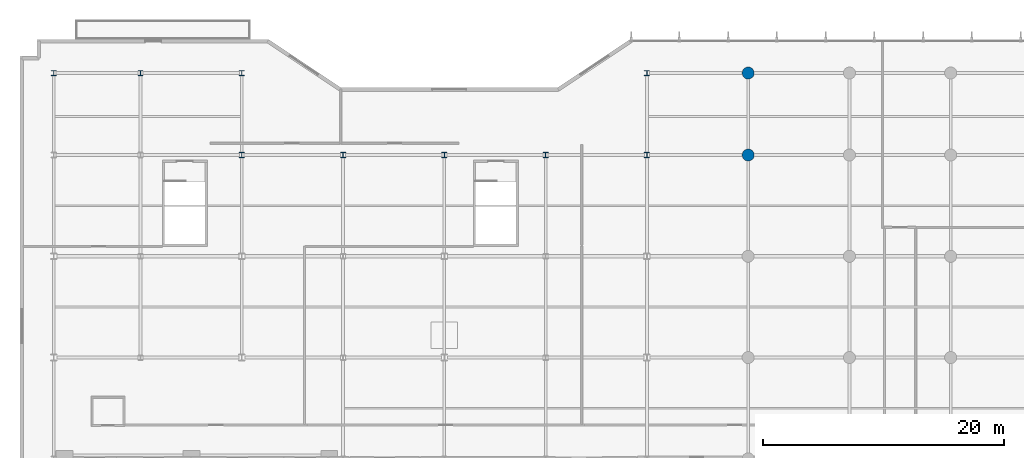
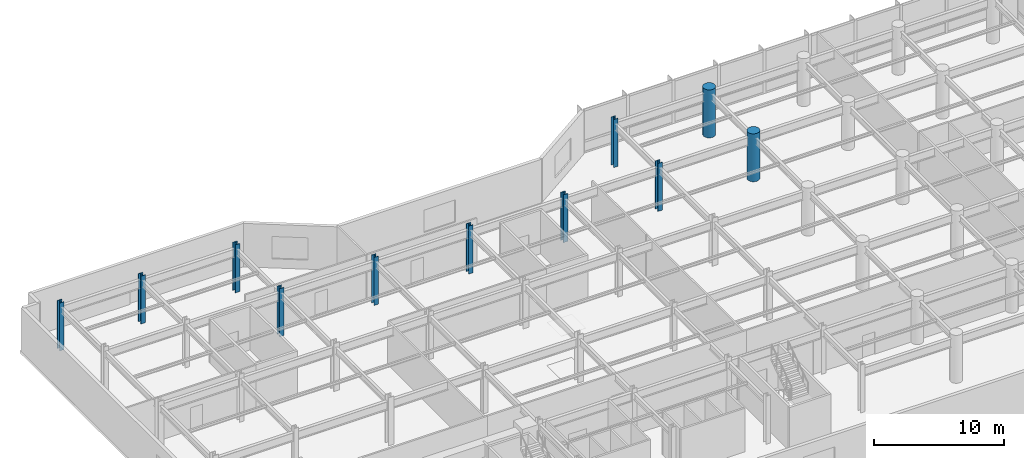
# One storey, part 2 of 23: 11 columns.
"""IFC4 building model written with IfcOpenShell, lengths in metres."""

from ifc_helpers import new_model, si_unit, direction, frame, origin, origin_2d, place, context, subcontext, project, spatial, circle, i_section, extrude, material, material_profile, profile_set, type_object, element, save


model = new_model("IFC4")

# Units and contexts
model_context = context("Model", 3, precision=1e-05, world=origin(), true_north=direction((0.0, 1.0)))
body_context = subcontext(model_context, "Body", "Model", "MODEL_VIEW")
ifc_project = project(units=[si_unit("LENGTHUNIT", "METRE"), si_unit("AREAUNIT", "SQUARE_METRE"), si_unit("VOLUMEUNIT", "CUBIC_METRE"), si_unit("PLANEANGLEUNIT", "RADIAN"), si_unit("MASSUNIT", "GRAM", prefix="KILO")], contexts=[model_context])

# Site, building, storey
site_placement = place(None, origin())
site = spatial("IfcSite", under=ifc_project, at=site_placement, CompositionType="ELEMENT")
building_placement = place(site_placement, origin())
building = spatial("IfcBuilding", under=site, at=building_placement, Name="Varnakote Quay Hospital", CompositionType="ELEMENT")
storey_placement = place(building_placement, frame((0.0, 0.0, 18.0)))
storey = spatial("IfcBuildingStorey", under=building, at=storey_placement, Name="L04", CompositionType="ELEMENT", Elevation=18.0)

# Columns
ifc_material_1 = material(Name="Concrete N65 (f'c 65 MPa)", Category="concrete")
ifc_material_profile_1 = material_profile(ifc_material_1, circle(Radius=0.5, at=origin_2d()), Name="RC-COL-D1000")
ifc_profile_set_1 = profile_set([ifc_material_profile_1], Name="Concrete N65 (f'c 65 MPa)")
column_type_1 = type_object("IfcColumnType", Name="COL-RC-D1000", PredefinedType="COLUMN", material=ifc_profile_set_1)
for number, where, z_axis, x_axis, name in (
    (1, (58.800048828125, 37.199951171875, 0.0), (0.0, 0.0, 1.0), (1.0, 0.0, 0.0), "L04 Structural Column C-59-37"),
    (2, (58.800048828125, 44.0, 0.0), (0.0, 0.0, 1.0), (1.0, 0.0, 0.0), "L04 Structural Column C-59-44"),
):
    element("IfcColumn", number, at=place(storey_placement, frame(where, z_axis=z_axis, x_axis=x_axis)), inside=storey, type_object=column_type_1, Name=name, PredefinedType="COLUMN", context=body_context, shape_type="SweptSolid", body=[
        extrude(circle(Radius=0.5, at=origin_2d()), origin(), (0.0, 0.0, 1.0), 4.5),
    ])
ifc_material_2 = material(Name="Structural steel AS/NZS 3678 Grade 350 (fy 340 MPa)", Category="steel")
ifc_material_profile_2 = material_profile(ifc_material_2, i_section(OverallWidth=0.39990234375, OverallDepth=0.419921875, WebThickness=0.02490234375, FlangeThickness=0.0400390625, at=origin_2d()), Name="400WC328")
ifc_profile_set_2 = profile_set([ifc_material_profile_2], Name="Structural steel AS/NZS 3678 Grade 350 (fy 340 MPa)")
column_type_2 = type_object("IfcColumnType", Name="COL-STL-400WC328", PredefinedType="COLUMN", material=ifc_profile_set_2)
for number, where, z_axis, x_axis, name in (
    (3, (16.800048828125, 37.199951171875, 0.0), (0.0, 0.0, 1.0), (1.0, 0.0, 0.0), "L04 Structural Column C-17-37"),
    (4, (25.199951171875, 37.199951171875, 0.0), (0.0, 0.0, 1.0), (1.0, 0.0, 0.0), "L04 Structural Column C-25-37"),
    (5, (33.60009765625, 37.199951171875, 0.0), (0.0, 0.0, 1.0), (1.0, 0.0, 0.0), "L04 Structural Column C-34-37"),
    (6, (42.0, 37.199951171875, 0.0), (0.0, 0.0, 1.0), (1.0, 0.0, 0.0), "L04 Structural Column C-42-37"),
    (7, (50.39990234375, 37.199951171875, 0.0), (0.0, 0.0, 1.0), (1.0, 0.0, 0.0), "L04 Structural Column C-50-37"),
    (8, (1.199951171875, 44.0, 0.0), (0.0, 0.0, 1.0), (1.0, 0.0, 0.0), "L04 Structural Column C-1-44"),
    (9, (8.39990234375, 44.0, 0.0), (0.0, 0.0, 1.0), (1.0, 0.0, 0.0), "L04 Structural Column C-8-44"),
    (10, (16.800048828125, 44.0, 0.0), (0.0, 0.0, 1.0), (1.0, 0.0, 0.0), "L04 Structural Column C-17-44"),
    (11, (50.39990234375, 44.0, 0.0), (0.0, 0.0, 1.0), (1.0, 0.0, 0.0), "L04 Structural Column C-50-44"),
):
    element("IfcColumn", number, at=place(storey_placement, frame(where, z_axis=z_axis, x_axis=x_axis)), inside=storey, type_object=column_type_2, Name=name, PredefinedType="COLUMN", context=body_context, shape_type="SweptSolid", body=[
        extrude(i_section(OverallWidth=0.39990234375, OverallDepth=0.419921875, WebThickness=0.02490234375, FlangeThickness=0.0400390625, at=origin_2d()), origin(), (0.0, 0.0, 1.0), 4.5),
    ])

save(model, "model.ifc")
